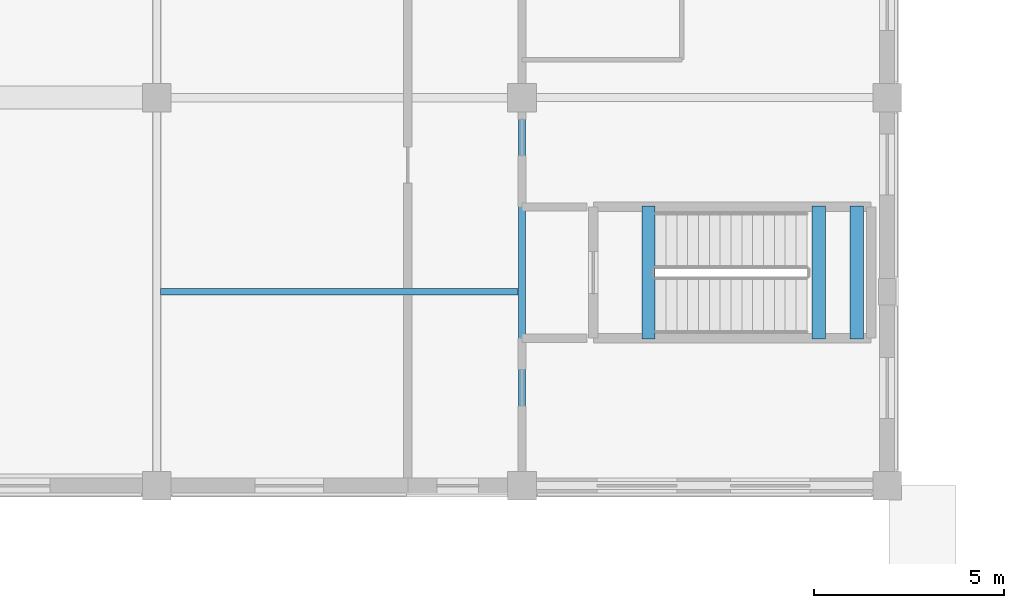
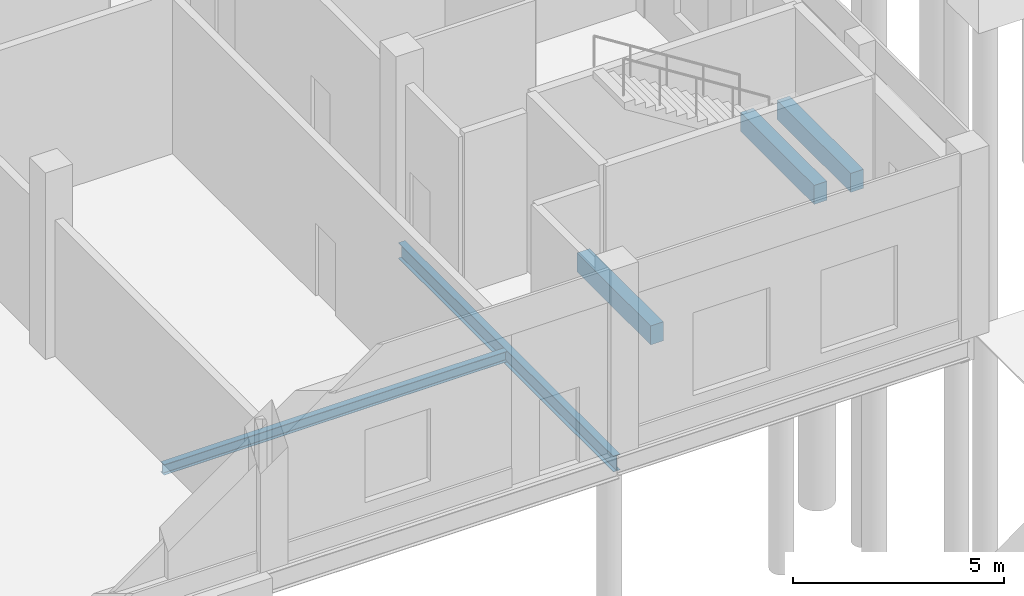
# One storey, part 28 of 137: 5 beams.
"""IFC4 building model written with IfcOpenShell, lengths in metres."""

from ifc_helpers import new_model, si_unit, direction, frame, origin, origin_2d, place, context, subcontext, project, spatial, rectangle, i_section, extrude, material, material_profile, profile_set, type_object, element, save


model = new_model("IFC4")

# Units and contexts
model_context = context("Model", 3, precision=1e-05, world=origin(), true_north=direction((0.0, 1.0)))
body_context = subcontext(model_context, "Body", "Model", "MODEL_VIEW")
ifc_project = project(units=[si_unit("LENGTHUNIT", "METRE"), si_unit("AREAUNIT", "SQUARE_METRE"), si_unit("VOLUMEUNIT", "CUBIC_METRE"), si_unit("PLANEANGLEUNIT", "RADIAN"), si_unit("MASSUNIT", "GRAM", prefix="KILO")], contexts=[model_context])

# Site, building, storey
site_placement = place(None, origin())
site = spatial("IfcSite", under=ifc_project, at=site_placement, CompositionType="ELEMENT")
building_placement = place(site_placement, origin())
building = spatial("IfcBuilding", under=site, at=building_placement, Name="Vondelvale Polytechnic", CompositionType="ELEMENT")
storey_placement = place(building_placement, origin())
storey = spatial("IfcBuildingStorey", under=building, at=storey_placement, Name="L00", CompositionType="ELEMENT", Elevation=0.0)

# Beams
ifc_material_1 = material(Name="Concrete N40 (f'c = 40 MPa)", Category="concrete")
ifc_material_profile_1 = material_profile(ifc_material_1, rectangle(XDim=0.35009765625, YDim=0.550048828125, at=origin_2d()), Name="RC-BM-350x550")
ifc_profile_set_1 = profile_set([ifc_material_profile_1], Name="Concrete N40 (f'c = 40 MPa)")
beam_type_1 = type_object("IfcBeamType", Name="BM-RC350x550", PredefinedType="BEAM", material=ifc_profile_set_1)
for number, where, z_axis, x_axis, name in (
    (1, (46.199951171875, 54.85009765625, 2.22509765625), (0.0, 1.0, 0.0), (-1.0, 0.0, 0.0), "L00 STLD B-06"),
    (2, (47.199951171875, 54.85009765625, 2.22509765625), (0.0, 1.0, 0.0), (-1.0, 0.0, 0.0), "L00 STLD B-06"),
    (3, (41.72509765625, 54.85009765625, -0.27490234375), (0.0, 1.0, 0.0), (-1.0, 0.0, 0.0), "L00 STHD B-06"),
):
    element("IfcBeam", number, at=place(storey_placement, frame(where, z_axis=z_axis, x_axis=x_axis)), inside=storey, type_object=beam_type_1, Name=name, PredefinedType="BEAM", context=body_context, shape_type="SweptSolid", body=[
        extrude(rectangle(XDim=0.35009765625, YDim=0.550048828125, at=origin_2d()), origin(), (0.0, 0.0, 1.0), 3.5),
    ])
ifc_material_2 = material(Name="Steel 300PLUS (fy = 300 MPa)", Category="steel")
ifc_material_profile_2 = material_profile(ifc_material_2, i_section(OverallWidth=0.18994140625, OverallDepth=0.45703125, WebThickness=0.009033203125, FlangeThickness=0.014404296875, FilletRadius=0.011474609375, at=origin_2d()), Name="460UB74.6")
ifc_profile_set_2 = profile_set([ifc_material_profile_2], Name="Steel 300PLUS (fy = 300 MPa)")
beam_type_2 = type_object("IfcBeamType", Name="BM-UB460", PredefinedType="BEAM", material=ifc_profile_set_2)
beam_1_placement = place(storey_placement, frame((38.39990234375, 51.0, -0.528564453125), z_axis=(0.0, 1.0, 0.0), x_axis=(-1.0, 0.0, 0.0)))
element("IfcBeam", 4, at=beam_1_placement, inside=storey, type_object=beam_type_2, Name="L00 B B-13", PredefinedType="BEAM", context=body_context, shape_type="SweptSolid", body=[
    extrude(i_section(OverallWidth=0.18994140625, OverallDepth=0.45703125, WebThickness=0.009033203125, FlangeThickness=0.014404296875, FilletRadius=0.011474609375, at=origin_2d()), origin(), (0.0, 0.0, 1.0), 10.199951171875),
])
ifc_material_profile_3 = material_profile(ifc_material_2, i_section(OverallWidth=0.1650390625, OverallDepth=0.303955078125, WebThickness=0.006103515625, FlangeThickness=0.01025390625, FilletRadius=0.011474609375, at=origin_2d()), Name="310UB40.4")
ifc_profile_set_3 = profile_set([ifc_material_profile_3], Name="Steel 300PLUS (fy = 300 MPa)")
beam_type_3 = type_object("IfcBeamType", Name="JST-UB310", PredefinedType="JOIST", material=ifc_profile_set_3)
beam_2_placement = place(storey_placement, frame((28.89990234375, 56.10009765625, -0.451904296875), z_axis=(1.0, 0.0, 0.0), x_axis=(0.0, 1.0, 0.0)))
element("IfcBeam", 5, at=beam_2_placement, inside=storey, type_object=beam_type_3, Name="L00 J J-05", PredefinedType="JOIST", context=body_context, shape_type="SweptSolid", body=[
    extrude(i_section(OverallWidth=0.1650390625, OverallDepth=0.303955078125, WebThickness=0.006103515625, FlangeThickness=0.01025390625, FilletRadius=0.011474609375, at=origin_2d()), origin(), (0.0, 0.0, 1.0), 9.400146484375),
])

save(model, "model.ifc")
